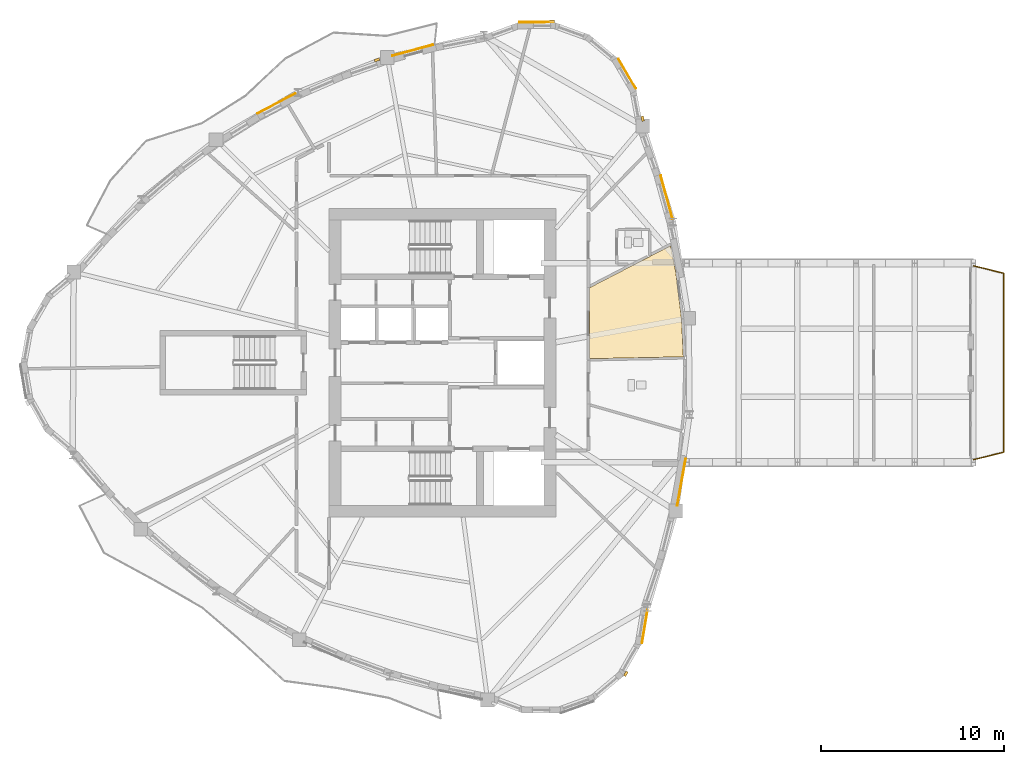
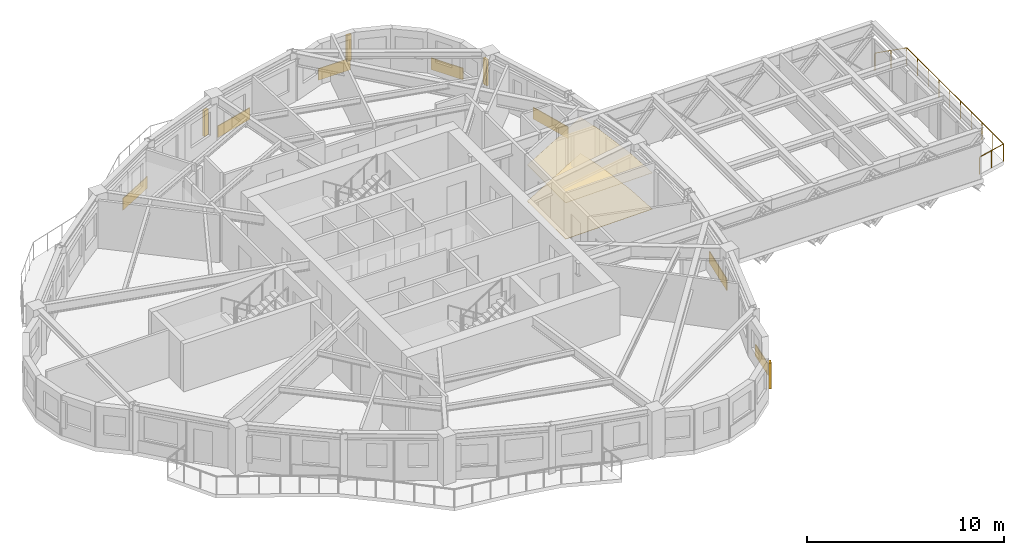
# One storey, part 12 of 13: 9 coverings, 4 shading devices, 1 railing.
"""IFC4 building model written with IfcOpenShell, lengths in metres."""

from ifc_helpers import new_model, si_unit, direction, frame, origin, origin_2d, place, context, subcontext, project, spatial, polyline, rectangle, circle, outline, extrude, source, transform, mapped, material, layer, layer_set, type_object, element, save


model = new_model("IFC4")

# Units and contexts
model_context = context("Model", 3, precision=1e-05, world=origin(), true_north=direction((0.0, 1.0)))
body_context = subcontext(model_context, "Body", "Model", "MODEL_VIEW")
ifc_project = project(units=[si_unit("LENGTHUNIT", "METRE"), si_unit("AREAUNIT", "SQUARE_METRE"), si_unit("VOLUMEUNIT", "CUBIC_METRE"), si_unit("PLANEANGLEUNIT", "RADIAN"), si_unit("MASSUNIT", "GRAM", prefix="KILO")], contexts=[model_context])

# Site, building, storey
site_placement = place(None, origin())
site = spatial("IfcSite", under=ifc_project, at=site_placement, CompositionType="ELEMENT")
building_placement = place(site_placement, origin())
building = spatial("IfcBuilding", under=site, at=building_placement, Name="Qafzar Sky-Pleat Residences", CompositionType="ELEMENT")
storey_placement = place(building_placement, frame((0.0, 0.0, 158.60009765625)))
storey = spatial("IfcBuildingStorey", under=building, at=storey_placement, Name="L47", CompositionType="ELEMENT", Elevation=158.60009765625)

# Coverings
ifc_material_1 = material(Name="Perforated acoustic gypsum board ceiling")
ifc_layer_1 = layer(ifc_material_1, 0.02001953125)
ifc_layer_set_1 = layer_set([ifc_layer_1], Name="Perforated acoustic gypsum board ceiling")
covering_type_1 = type_object("IfcCoveringType", Name="COV-CEIL-ACOUSTIC", PredefinedType="CEILING", material=ifc_layer_set_1)
covering_1_placement = place(storey_placement, frame((0.0, 0.0, 2.239990234375)))
element("IfcCovering", 1, at=covering_1_placement, inside=storey, type_object=covering_type_1, Name="L47 Co-Living Lounge Acoustic Ceiling", PredefinedType="CEILING", context=body_context, shape_type="SweptSolid", body=[
    extrude(outline(polyline([(43.104736328125, 31.0078125), (43.42724609375, 28.40478515625), (43.5263671875, 26.322998046875), (38.389892578125, 26.220458984375), (38.389892578125, 30.101318359375), (42.825927734375, 32.401611328125), (43.104736328125, 31.0078125)])), origin(), (0.0, 0.0, 1.0), 0.02001953125),
])
ifc_material_2 = material(Name="Honed porcelain and Riyadh stone tile flooring", Category="masonry")
ifc_layer_2 = layer(ifc_material_2, 0.02001953125)
ifc_layer_set_2 = layer_set([ifc_layer_2], Name="Honed porcelain and Riyadh stone tile flooring")
covering_type_2 = type_object("IfcCoveringType", Name="COV-FLR-PORCELAIN", PredefinedType="FLOORING", material=ifc_layer_set_2)
covering_2_placement = place(storey_placement, origin())
element("IfcCovering", 2, at=covering_2_placement, inside=storey, type_object=covering_type_2, Name="L47 Co-Living Lounge Honed Stone Flooring", PredefinedType="FLOORING", context=body_context, shape_type="SweptSolid", body=[
    extrude(outline(polyline([(43.104736328125, 31.0078125), (43.42724609375, 28.40478515625), (43.5263671875, 26.322998046875), (38.389892578125, 26.220458984375), (38.389892578125, 30.101318359375), (42.825927734375, 32.401611328125), (43.104736328125, 31.0078125)])), origin(), (0.0, 0.0, 1.0), 0.02001953125),
])

# Shading devices
ifc_material_3 = material(Name="Honed Riyadh limestone solar fin", Category="masonry")
ifc_layer_3 = layer(ifc_material_3, 0.139892578125)
ifc_layer_set_3 = layer_set([ifc_layer_3], Name="Honed Riyadh limestone solar fin")
shading_device_type = type_object("IfcShadingDeviceType", Name="SHD-FIN-STONE", PredefinedType="SHUTTER", material=ifc_layer_set_3)
shared_shape_1 = source(origin(), body_context, "Body", "SweptSolid", [
    extrude(rectangle(XDim=0.139892578125, YDim=0.280029296875, at=origin_2d()), origin(), (0.0, 0.0, 1.0), 1.60009765625),
])
for number, where, z_axis, x_axis, name in (
    (3, (40.382080078125, 8.986572265625, 0.599853515625), (0.0, 0.0, 1.0), (0.86842169793, -0.495826335086, 0.0), "L47 Limestone Solar Fin 21"),
    (4, (41.303955078125, 39.34912109375, 0.599853515625), (0.0, 0.0, 1.0), (0.983236665958, 0.182333920912, 0.0), "L47 Limestone Solar Fin 33"),
    (5, (36.347412109375, 44.678466796875, 0.599853515625), (0.0, 0.0, 1.0), (-0.002393888715, 0.999997134644, 0.0), "L47 Limestone Solar Fin 37"),
    (6, (26.76708984375, 42.565185546875, 0.599853515625), (0.0, 0.0, 1.0), (-0.329563194249, 0.944133518628, 0.0), "L47 Limestone Solar Fin 41"),
):
    element("IfcShadingDevice", number, at=place(storey_placement, frame(where, z_axis=z_axis, x_axis=x_axis)), inside=storey, type_object=shading_device_type, Name=name, PredefinedType="SHUTTER", context=body_context, shape_type="MappedRepresentation", body=[
        mapped(shared_shape_1, transform((0.0, 0.0, 0.0), x_axis=(1.0, 0.0, 0.0), y_axis=(0.0, 1.0, 0.0), z_axis=(0.0, 0.0, 1.0), scale=1.0)),
    ])

# Coverings
ifc_material_4 = material(Name="Honed Riyadh Tuwaiq limestone cladding", Category="masonry")
ifc_layer_4 = layer(ifc_material_4, 0.044921875)
ifc_layer_set_4 = layer_set([ifc_layer_4], Name="Honed Riyadh Tuwaiq limestone cladding")
covering_type_3 = type_object("IfcCoveringType", Name="COV-CLAD-STONE", PredefinedType="CLADDING", material=ifc_layer_set_4)
shared_shape_2 = source(origin(), body_context, "Body", "SweptSolid", [
    extrude(rectangle(XDim=1.873046875, YDim=0.044921875, at=origin_2d()), origin(), (0.0, 0.0, 1.0), 0.719970703125),
])
for number, where, z_axis, x_axis, name in (
    (7, (40.456787109375, 41.802001953125, 0.02001953125), (0.0, 0.0, 1.0), (-0.506268159892, 0.862376107206, 0.0), "L47 Riyadh Limestone Spandrel Cladding 34"),
    (8, (35.497314453125, 44.63330078125, 0.02001953125), (0.0, 0.0, 1.0), (-0.999997113828, -0.002402568631, 0.0), "L47 Riyadh Limestone Spandrel Cladding 37"),
):
    element("IfcCovering", number, at=place(storey_placement, frame(where, z_axis=z_axis, x_axis=x_axis)), inside=storey, type_object=covering_type_3, Name=name, PredefinedType="CLADDING", context=body_context, shape_type="MappedRepresentation", body=[
        mapped(shared_shape_2, transform((0.0, 0.0, 0.0), x_axis=(1.0, 0.0, 0.0), y_axis=(0.0, 1.0, 0.0), z_axis=(0.0, 0.0, 1.0), scale=1.0)),
    ])
shared_shape_3 = source(origin(), body_context, "Body", "SweptSolid", [
    extrude(rectangle(XDim=1.845703125, YDim=0.044921875, at=origin_2d()), origin(), (0.0, 0.0, 1.0), 0.719970703125),
])
covering_3_placement = place(storey_placement, frame((41.414306640625, 11.5703125, 0.02001953125), z_axis=(0.0, 0.0, 1.0), x_axis=(0.165656211386, 0.986183562847, 0.0)))
element("IfcCovering", 9, at=covering_3_placement, inside=storey, type_object=covering_type_3, Name="L47 Riyadh Limestone Spandrel Cladding 22", PredefinedType="CLADDING", context=body_context, shape_type="MappedRepresentation", body=[
    mapped(shared_shape_3, transform((0.0, 0.0, 0.0), x_axis=(1.0, 0.0, 0.0), y_axis=(0.0, 1.0, 0.0), z_axis=(0.0, 0.0, 1.0), scale=1.0)),
])
shared_shape_4 = source(origin(), body_context, "Body", "SweptSolid", [
    extrude(rectangle(XDim=2.61669921875, YDim=0.044921875, at=origin_2d()), origin(), (0.0, 0.0, 1.0), 0.719970703125),
])
covering_4_placement = place(storey_placement, frame((43.42333984375, 19.4697265625, 0.02001953125), z_axis=(0.0, 0.0, 1.0), x_axis=(0.177174987341, 0.984179365695, 0.0)))
element("IfcCovering", 10, at=covering_4_placement, inside=storey, type_object=covering_type_3, Name="L47 Riyadh Limestone Spandrel Cladding 25", PredefinedType="CLADDING", context=body_context, shape_type="MappedRepresentation", body=[
    mapped(shared_shape_4, transform((0.0, 0.0, 0.0), x_axis=(1.0, 0.0, 0.0), y_axis=(0.0, 1.0, 0.0), z_axis=(0.0, 0.0, 1.0), scale=1.0)),
])
shared_shape_5 = source(origin(), body_context, "Body", "SweptSolid", [
    extrude(rectangle(XDim=2.47021484375, YDim=0.044921875, at=origin_2d()), origin(), (0.0, 0.0, 1.0), 0.719970703125),
])
covering_5_placement = place(storey_placement, frame((42.6142578125, 35.048095703125, 0.02001953125), z_axis=(0.0, 0.0, 1.0), x_axis=(-0.266371456108, 0.96387045155, 0.0)))
element("IfcCovering", 11, at=covering_5_placement, inside=storey, type_object=covering_type_3, Name="L47 Riyadh Limestone Spandrel Cladding 31", PredefinedType="CLADDING", context=body_context, shape_type="MappedRepresentation", body=[
    mapped(shared_shape_5, transform((0.0, 0.0, 0.0), x_axis=(1.0, 0.0, 0.0), y_axis=(0.0, 1.0, 0.0), z_axis=(0.0, 0.0, 1.0), scale=1.0)),
])
shared_shape_6 = source(origin(), body_context, "Body", "SweptSolid", [
    extrude(rectangle(XDim=2.3076171875, YDim=0.044921875, at=origin_2d()), origin(), (0.0, 0.0, 1.0), 0.719970703125),
])
covering_6_placement = place(storey_placement, frame((28.7177734375, 43.0908203125, 0.02001953125), z_axis=(0.0, 0.0, 1.0), x_axis=(-0.965457048735, -0.260562251771, 0.0)))
element("IfcCovering", 12, at=covering_6_placement, inside=storey, type_object=covering_type_3, Name="L47 Riyadh Limestone Spandrel Cladding 40", PredefinedType="CLADDING", context=body_context, shape_type="MappedRepresentation", body=[
    mapped(shared_shape_6, transform((0.0, 0.0, 0.0), x_axis=(1.0, 0.0, 0.0), y_axis=(0.0, 1.0, 0.0), z_axis=(0.0, 0.0, 1.0), scale=1.0)),
])
shared_shape_7 = source(origin(), body_context, "Body", "SweptSolid", [
    extrude(rectangle(XDim=2.349609375, YDim=0.044921875, at=origin_2d()), origin(), (0.0, 0.0, 1.0), 0.719970703125),
])
covering_7_placement = place(storey_placement, frame((21.2724609375, 40.18701171875, 0.02001953125), z_axis=(0.0, 0.0, 1.0), x_axis=(-0.884390901414, -0.466746969456, 0.0)))
element("IfcCovering", 13, at=covering_7_placement, inside=storey, type_object=covering_type_3, Name="L47 Riyadh Limestone Spandrel Cladding 43", PredefinedType="CLADDING", context=body_context, shape_type="MappedRepresentation", body=[
    mapped(shared_shape_7, transform((0.0, 0.0, 0.0), x_axis=(1.0, 0.0, 0.0), y_axis=(0.0, 1.0, 0.0), z_axis=(0.0, 0.0, 1.0), scale=1.0)),
])

# Railing
ifc_material_5 = material(Name="Laminated glass and bronze steel balustrade", Category="steel")
railing_type = type_object("IfcRailingType", Name="RAIL-BAL-1100", PredefinedType="BALUSTRADE", material=ifc_material_5)
shared_shape_8 = source(origin(), body_context, "Body", "SweptSolid", [
    extrude(circle(Radius=0.02392578125, at=origin_2d()), frame((0.0, 0.0, 1.076171875), z_axis=(0.971325348019, 0.23775421825, 0.0), x_axis=(-0.23775421825, 0.971325348019, 0.0)), (0.0, 0.0, 1.0), 1.68310546875),
    extrude(circle(Radius=0.02392578125, at=origin_2d()), frame((1.634765625, 0.400146484375, 1.076171875), z_axis=(0.0, 1.0, 0.0), x_axis=(-1.0, 0.0, 0.0)), (0.0, 0.0, 1.0), 9.7998046875),
    extrude(circle(Radius=0.02392578125, at=origin_2d()), frame((1.634765625, 10.199951171875, 1.076171875), z_axis=(-0.971325348019, 0.23775421825, 0.0), x_axis=(-0.23775421825, -0.971325348019, 0.0)), (0.0, 0.0, 1.0), 1.68310546875),
    extrude(circle(Radius=0.02099609375, at=origin_2d()), origin(), (0.0, 0.0, 1.0), 1.052001953125),
    extrude(circle(Radius=0.02099609375, at=origin_2d()), frame((0.8173828125, 0.2001953125, 0.0)), (0.0, 0.0, 1.0), 1.052001953125),
    extrude(circle(Radius=0.02099609375, at=origin_2d()), frame((1.634765625, 0.400146484375, 0.0)), (0.0, 0.0, 1.0), 1.052001953125),
    extrude(circle(Radius=0.02099609375, at=origin_2d()), frame((1.634765625, 1.489013671875, 0.0)), (0.0, 0.0, 1.0), 1.052001953125),
    extrude(circle(Radius=0.02099609375, at=origin_2d()), frame((1.634765625, 2.577880859375, 0.0)), (0.0, 0.0, 1.0), 1.052001953125),
    extrude(circle(Radius=0.02099609375, at=origin_2d()), frame((1.634765625, 3.666748046875, 0.0)), (0.0, 0.0, 1.0), 1.052001953125),
    extrude(circle(Radius=0.02099609375, at=origin_2d()), frame((1.634765625, 4.755615234375, 0.0)), (0.0, 0.0, 1.0), 1.052001953125),
    extrude(circle(Radius=0.02099609375, at=origin_2d()), frame((1.634765625, 5.844482421875, 0.0)), (0.0, 0.0, 1.0), 1.052001953125),
    extrude(circle(Radius=0.02099609375, at=origin_2d()), frame((1.634765625, 6.933349609375, 0.0)), (0.0, 0.0, 1.0), 1.052001953125),
    extrude(circle(Radius=0.02099609375, at=origin_2d()), frame((1.634765625, 8.022216796875, 0.0)), (0.0, 0.0, 1.0), 1.052001953125),
    extrude(circle(Radius=0.02099609375, at=origin_2d()), frame((1.634765625, 9.111083984375, 0.0)), (0.0, 0.0, 1.0), 1.052001953125),
    extrude(circle(Radius=0.02099609375, at=origin_2d()), frame((1.634765625, 10.199951171875, 0.0)), (0.0, 0.0, 1.0), 1.052001953125),
    extrude(circle(Radius=0.02099609375, at=origin_2d()), frame((0.8173828125, 10.39990234375, 0.0)), (0.0, 0.0, 1.0), 1.052001953125),
    extrude(circle(Radius=0.02099609375, at=origin_2d()), frame((0.0, 10.60009765625, 0.0)), (0.0, 0.0, 1.0), 1.052001953125),
])
railing_placement = place(storey_placement, frame((59.40771484375, 20.699951171875, 0.0)))
element("IfcRailing", 14, at=railing_placement, inside=storey, type_object=railing_type, Name="L47 SB-4 Tip Observation Balcony Balustrade", PredefinedType="BALUSTRADE", context=body_context, shape_type="MappedRepresentation", body=[
    mapped(shared_shape_8, transform((0.0, 0.0, 0.0), x_axis=(1.0, 0.0, 0.0), y_axis=(0.0, 1.0, 0.0), z_axis=(0.0, 0.0, 1.0), scale=1.0)),
])

save(model, "model.ifc")
